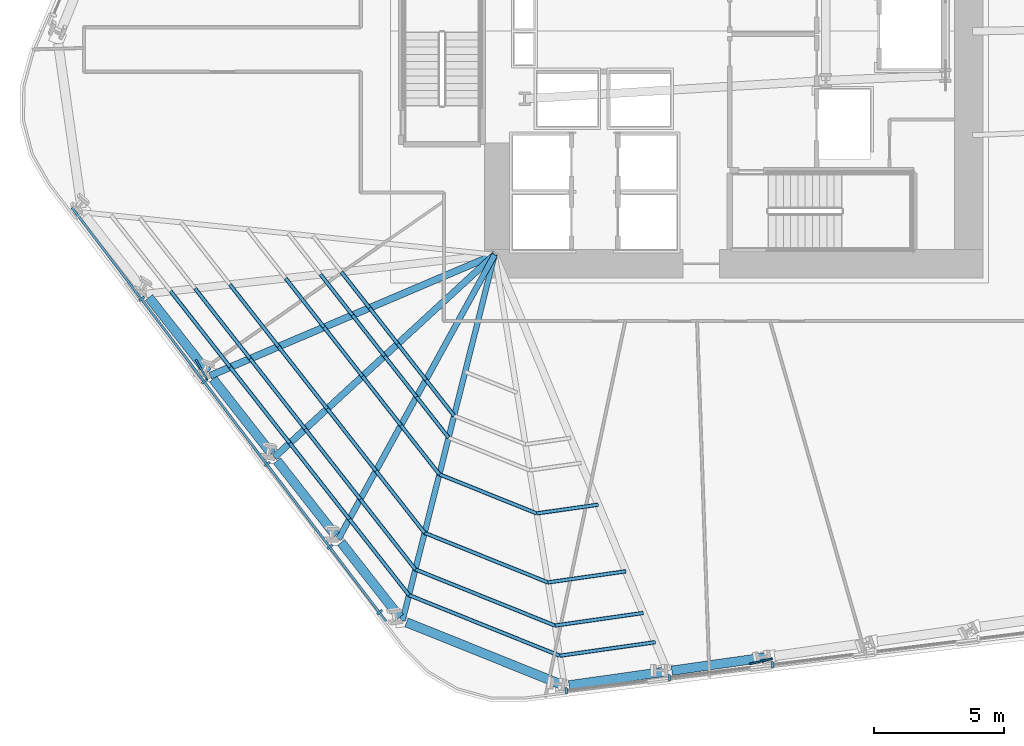
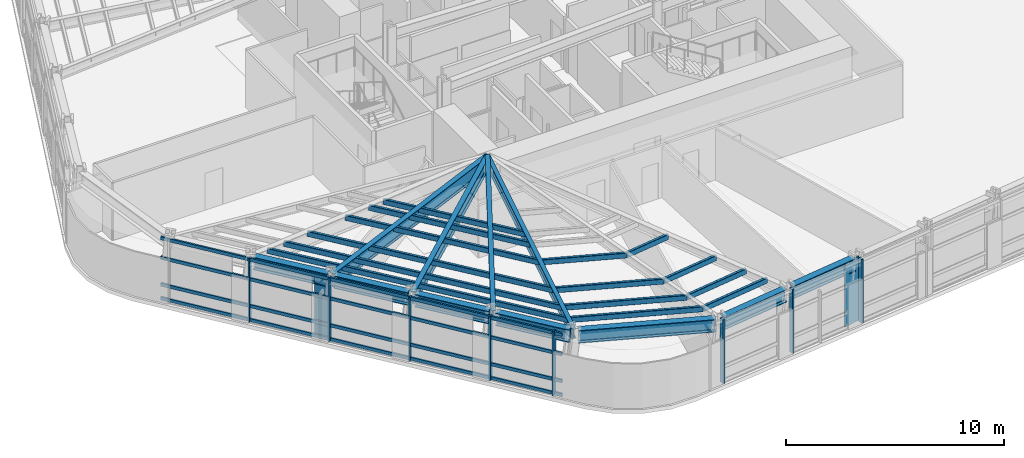
# One storey, part 2 of 16: 46 members, 11 beams, 2 elements without a shape of their own.
"""IFC4 building model written with IfcOpenShell, lengths in metres."""

import ifcopenshell
import ifcopenshell.guid

model = None  # the IFC model being written
_history = None  # IfcOwnerHistory: only IFC2X3 demands one
_inside = {}  # id of a spatial element -> (the spatial element, [elements in it])
_under = {}  # id of a project, library or spatial element -> (it, [spatial elements below it])
_declared = {}  # id of a project -> (the project, [libraries it declares])
_typed = {}  # id of a type object -> (the type object, [elements of that type])
_made_of = {}  # id of a material, layer set ... -> (it, [elements and type objects made of it])


def new_model(schema):
    """Start an empty IFC model of exactly this schema.

    Asked for "IFC4X3", IfcOpenShell would pick the latest addendum, in which some entities
    have other attributes; the version numbers below select the first issue.
    IFC2X3 requires an IfcOwnerHistory on every rooted entity: one is made here for all.
    """
    global model, _history
    if schema == "IFC4X3":
        model = ifcopenshell.file(schema_version=(4, 3, 0, 0))
    else:
        model = ifcopenshell.file(schema=schema)
    _inside.clear()
    _under.clear()
    _declared.clear()
    _typed.clear()
    _made_of.clear()
    _history = None
    if model.schema == "IFC2X3":
        org = make("IfcOrganization", Name="unknown")
        user = make(
            "IfcPersonAndOrganization",
            ThePerson=make("IfcPerson", FamilyName="unknown"),
            TheOrganization=org,
        )
        app = make(
            "IfcApplication",
            ApplicationDeveloper=org,
            Version="unknown",
            ApplicationFullName="unknown",
            ApplicationIdentifier="unknown",
        )
        _history = make(
            "IfcOwnerHistory",
            OwningUser=user,
            OwningApplication=app,
            ChangeAction="ADDED",
            CreationDate=0,
        )
    return model


def make(cls, **values):
    """One entity of the class cls with the attributes given. An attribute that is None is left unset."""
    return model.create_entity(
        cls, **{name: value for name, value in values.items() if value is not None}
    )


def rooted(cls, **values):
    """An entity with a GlobalId (a new one), such as an element, a storey or a relation."""
    return make(cls, GlobalId=ifcopenshell.guid.new(), OwnerHistory=_history, **values)


def si_unit(unit_type, name, prefix=None):
    """IfcSIUnit, for example si_unit("LENGTHUNIT", "METRE", prefix="MILLI")."""
    return make("IfcSIUnit", UnitType=unit_type, Prefix=prefix, Name=name)


def assignment(units):
    """IfcUnitAssignment: the units of a project."""
    return None if units is None else make("IfcUnitAssignment", Units=units)


def point(xyz):
    """IfcCartesianPoint."""
    return None if xyz is None else make("IfcCartesianPoint", Coordinates=xyz)


def direction(xyz):
    """IfcDirection."""
    return None if xyz is None else make("IfcDirection", DirectionRatios=xyz)


def frame(location, z_axis=None, x_axis=None):
    """IfcAxis2Placement3D, a coordinate frame: its origin and axes. An axis left out is left unset."""
    return make(
        "IfcAxis2Placement3D",
        Location=point(location),
        Axis=direction(z_axis),
        RefDirection=direction(x_axis),
    )


def frame_2d(location, x_axis=None):
    """IfcAxis2Placement2D, a coordinate frame in the plane: its origin and x axis."""
    return make(
        "IfcAxis2Placement2D", Location=point(location), RefDirection=direction(x_axis)
    )


def origin():
    """The frame at (0, 0, 0) with its axes left unset."""
    return frame((0.0, 0.0, 0.0))


def origin_2d():
    """The frame at (0, 0) in the plane with its x axis left unset."""
    return frame_2d((0.0, 0.0))


def place(relative_to, where):
    """IfcLocalPlacement: puts the frame where relative to a parent placement (None: the world)."""
    return make(
        "IfcLocalPlacement", PlacementRelTo=relative_to, RelativePlacement=where
    )


def context(
    kind, dimensions, precision=None, world=None, true_north=None, identifier=None
):
    """IfcGeometricRepresentationContext, for example the 3D "Model" context."""
    return make(
        "IfcGeometricRepresentationContext",
        ContextIdentifier=identifier,
        ContextType=kind,
        CoordinateSpaceDimension=dimensions,
        Precision=precision,
        WorldCoordinateSystem=world,
        TrueNorth=true_north,
    )


def subcontext(parent, identifier, kind, view, scale=None):
    """IfcGeometricRepresentationSubContext, for example "Body" below "Model"."""
    return make(
        "IfcGeometricRepresentationSubContext",
        ContextIdentifier=identifier,
        ContextType=kind,
        ParentContext=parent,
        TargetScale=scale,
        TargetView=view,
    )


def project(units=None, contexts=None):
    """IfcProject with its units and contexts."""
    return rooted(
        "IfcProject",
        Name="project",
        RepresentationContexts=contexts,
        UnitsInContext=assignment(units),
    )


def spatial(cls, under=None, at=None, **own):
    """A site, building, storey or space (cls), placed at a placement, below another one or the project."""
    s = rooted(cls, ObjectPlacement=at, **own)
    if under is not None:
        _under.setdefault(under.id(), (under, []))[1].append(s)
    return s


def profile(cls, at=None, kind="AREA", **sizes):
    """A parametric profile (cls). Its sizes go by their IFC names, for example OverallWidth=200.0."""
    return make(cls, ProfileType=kind, Position=at, **sizes)


def rectangle(**sizes):
    """IfcRectangleProfileDef."""
    return profile("IfcRectangleProfileDef", **sizes)


def hollow_rectangle(**sizes):
    """IfcRectangleHollowProfileDef."""
    return profile("IfcRectangleHollowProfileDef", **sizes)


def i_section(**sizes):
    """IfcIShapeProfileDef."""
    return profile("IfcIShapeProfileDef", **sizes)


def extrude(swept, where, along, depth):
    """IfcExtrudedAreaSolid: the profile swept, set in the frame where, extruded along a direction by depth."""
    return make(
        "IfcExtrudedAreaSolid",
        SweptArea=swept,
        Position=where,
        ExtrudedDirection=direction(along),
        Depth=depth,
    )


def shape(context_of_items, identifier, shape_type, items):
    """IfcShapeRepresentation: the items that make up one representation, for example the "Body"."""
    return make(
        "IfcShapeRepresentation",
        ContextOfItems=context_of_items,
        RepresentationIdentifier=identifier,
        RepresentationType=shape_type,
        Items=items,
    )


def material(Name=None, Category=None):
    """IfcMaterial."""
    return make("IfcMaterial", Name=Name, Category=Category)


def layer(
    of_material, thickness, ventilated=None, Name=None, Category=None, Priority=None
):
    """IfcMaterialLayer: one layer of a wall or slab, of a material (None: an air gap)."""
    return make(
        "IfcMaterialLayer",
        Material=of_material,
        LayerThickness=thickness,
        IsVentilated=ventilated,
        Name=Name,
        Category=Category,
        Priority=Priority,
    )


def layer_set(layers, Name=None):
    """IfcMaterialLayerSet."""
    return make("IfcMaterialLayerSet", MaterialLayers=layers, LayerSetName=Name)


def material_profile(
    of_material, cross_section, Name=None, Category=None, Priority=None
):
    """IfcMaterialProfile: a cross section and its material."""
    return make(
        "IfcMaterialProfile",
        Name=Name,
        Material=of_material,
        Profile=cross_section,
        Priority=Priority,
        Category=Category,
    )


def profile_set(profiles, Name=None, composite=None):
    """IfcMaterialProfileSet."""
    return make(
        "IfcMaterialProfileSet",
        Name=Name,
        MaterialProfiles=profiles,
        CompositeProfile=composite,
    )


def made_of(thing, what):
    """Note that an element or type object is made of a material, layer set ...; save() writes the relation."""
    if what is not None:
        _made_of.setdefault(what.id(), (what, []))[1].append(thing)
    return thing


def type_object(cls, material=None, **own):
    """A type object (cls), such as IfcWallType, which elements share."""
    return made_of(rooted(cls, **own), material)


def element(
    cls,
    number,
    at=None,
    inside=None,
    cuts=None,
    type_object=None,
    material=None,
    context=None,
    identifier="Body",
    shape_type=None,
    held_by="IfcProductDefinitionShape",
    body=None,
    shapes=None,
    **own,
):
    """One element of the class cls, such as IfcWall. Its Tag is "e" and its number.

    at: its placement. inside: the storey or other place that contains it. cuts: it is an
    opening in that element (IfcRelVoidsElement). A single representation is given by context,
    identifier, shape_type and body (its items); several are given by shapes. held_by: the class
    of the entity that holds the representations. save() writes the other relations.
    """
    e = rooted(cls, Tag="e%d" % number, ObjectPlacement=at, **own)
    if body is not None:
        shapes = [shape(context, identifier, shape_type, body)]
    if shapes is not None:
        e.Representation = make(held_by, Representations=shapes)
    if inside is not None:
        _inside.setdefault(inside.id(), (inside, []))[1].append(e)
    if cuts is not None:
        rooted(
            "IfcRelVoidsElement", RelatingBuildingElement=cuts, RelatedOpeningElement=e
        )
    if type_object is not None:
        _typed.setdefault(type_object.id(), (type_object, []))[1].append(e)
    return made_of(e, material)


def aggregate(whole, parts):
    """IfcRelAggregates: a whole, such as a stair, and the parts it consists of."""
    return rooted("IfcRelAggregates", RelatingObject=whole, RelatedObjects=parts)


def save(model, path):
    """Write the relations noted so far, then the file.

    IfcRelAggregates (storeys below a building ...), IfcRelContainedInSpatialStructure (elements
    in a storey), IfcRelDefinesByType, IfcRelAssociatesMaterial and IfcRelDeclares: one each for
    every whole, place, type object, material and project.
    """
    for whole, parts in _under.values():
        aggregate(whole, parts)
    for where, things in _inside.values():
        rooted(
            "IfcRelContainedInSpatialStructure",
            RelatedElements=things,
            RelatingStructure=where,
        )
    for kind, things in _typed.values():
        rooted("IfcRelDefinesByType", RelatedObjects=things, RelatingType=kind)
    for what, things in _made_of.values():
        rooted("IfcRelAssociatesMaterial", RelatedObjects=things, RelatingMaterial=what)
    for by, libraries in _declared.values():
        rooted("IfcRelDeclares", RelatingContext=by, RelatedDefinitions=libraries)
    model.write(path)


model = new_model("IFC4")

# Units and contexts
model_context = context("Model", 3, precision=1e-05, world=origin(), true_north=direction((0.0, 1.0)))
body_context = subcontext(model_context, "Body", "Model", "MODEL_VIEW")
ifc_project = project(units=[si_unit("LENGTHUNIT", "METRE"), si_unit("AREAUNIT", "SQUARE_METRE"), si_unit("VOLUMEUNIT", "CUBIC_METRE"), si_unit("PLANEANGLEUNIT", "RADIAN"), si_unit("MASSUNIT", "GRAM", prefix="KILO")], contexts=[model_context])

# Site, building, storey
site_placement = place(None, origin())
site = spatial("IfcSite", under=ifc_project, at=site_placement, CompositionType="ELEMENT")
building_placement = place(site_placement, origin())
building = spatial("IfcBuilding", under=site, at=building_placement, Name="Valkerne Bourse Tower", CompositionType="ELEMENT")
storey_placement = place(building_placement, frame((0.0, 0.0, 54.39990234375)))
storey = spatial("IfcBuildingStorey", under=building, at=storey_placement, Name="L13", CompositionType="ELEMENT", Elevation=54.39990234375)

# Beams
ifc_material_1 = material(Name="Steel ASTM A992", Category="steel")
ifc_material_profile_1 = material_profile(ifc_material_1, i_section(OverallWidth=0.2138671875, OverallDepth=0.548583984375, WebThickness=0.0146484375, FlangeThickness=0.023681640625, FilletRadius=0.017822265625, at=origin_2d()), Name="W21X93")
ifc_profile_set_1 = profile_set([ifc_material_profile_1], Name="Steel ASTM A992")
beam_type_1 = type_object("IfcBeamType", Name="BM-W21X93", PredefinedType="BEAM", material=ifc_profile_set_1)
beam_1_placement = place(storey_placement, frame((34.052490234375, 4.309814453125, 3.305908203125), z_axis=(0.244160205908, 0.969734909061, 0.0), x_axis=(-0.969734909061, 0.244160205908, 0.0)))
element("IfcBeam", 1, at=beam_1_placement, inside=storey, type_object=beam_type_1, Name="L13 Radial Composite Floor Beam 23", PredefinedType="BEAM", context=body_context, shape_type="SweptSolid", body=[
    extrude(i_section(OverallWidth=0.2138671875, OverallDepth=0.548583984375, WebThickness=0.0146484375, FlangeThickness=0.023681640625, FilletRadius=0.017822265625, at=origin_2d()), origin(), (0.0, 0.0, 1.0), 14.52978515625),
])
ifc_material_profile_2 = material_profile(ifc_material_1, i_section(OverallWidth=0.228271484375, OverallDepth=0.607177734375, WebThickness=0.01123046875, FlangeThickness=0.017333984375, FilletRadius=0.017822265625, at=origin_2d()), Name="W24X76")
ifc_profile_set_2 = profile_set([ifc_material_profile_2], Name="Steel ASTM A992")
beam_type_2 = type_object("IfcBeamType", Name="BM-W24X76", PredefinedType="JOIST", material=ifc_profile_set_2)
beam_2_placement = place(storey_placement, frame((31.586669921875, 7.454345703125, 3.276611328125), z_axis=(0.481511208125, 0.876439933167, 0.0), x_axis=(-0.876439933167, 0.481511208125, 0.0)))
element("IfcBeam", 2, at=beam_2_placement, inside=storey, type_object=beam_type_2, Name="L13 Radial Composite Floor Beam 22", PredefinedType="JOIST", context=body_context, shape_type="SweptSolid", body=[
    extrude(i_section(OverallWidth=0.228271484375, OverallDepth=0.607177734375, WebThickness=0.01123046875, FlangeThickness=0.017333984375, FilletRadius=0.017822265625, at=origin_2d()), origin(), (0.0, 0.0, 1.0), 12.48876953125),
])
ifc_material_profile_3 = material_profile(ifc_material_1, i_section(OverallWidth=0.255859375, OverallDepth=0.693359375, WebThickness=0.014404296875, FlangeThickness=0.023681640625, FilletRadius=0.02294921875, at=origin_2d()), Name="W27X114")
ifc_profile_set_3 = profile_set([ifc_material_profile_3], Name="Steel ASTM A992")
beam_type_3 = type_object("IfcBeamType", Name="BM-W27X114", PredefinedType="BEAM", material=ifc_profile_set_3)
beam_3_placement = place(storey_placement, frame((29.12109375, 10.59912109375, 3.2333984375), z_axis=(0.735926788448, 0.67706112135, 0.0), x_axis=(-0.67706112135, 0.735926788448, 0.0)))
element("IfcBeam", 3, at=beam_3_placement, inside=storey, type_object=beam_type_3, Name="L13 Radial Composite Floor Beam 21", PredefinedType="BEAM", context=body_context, shape_type="SweptSolid", body=[
    extrude(i_section(OverallWidth=0.255859375, OverallDepth=0.693359375, WebThickness=0.014404296875, FlangeThickness=0.023681640625, FilletRadius=0.02294921875, at=origin_2d()), origin(), (0.0, 0.0, 1.0), 11.521484375),
])
ifc_material_profile_4 = material_profile(ifc_material_1, i_section(OverallWidth=0.358154296875, OverallDepth=0.7060546875, WebThickness=0.018310546875, FlangeThickness=0.0302734375, FilletRadius=0.02294921875, at=origin_2d()), Name="W27X178")
ifc_profile_set_4 = profile_set([ifc_material_profile_4], Name="Steel ASTM A992")
beam_type_4 = type_object("IfcBeamType", Name="BM-W27X178", PredefinedType="SPANDREL", material=ifc_profile_set_4)
for number, where, z_axis, x_axis, name in (
    (4, (24.294677734375, 16.75439453125, 3.22705078125), (0.617042646345, -0.786929712612, 0.0), (0.786929712612, 0.617042646345, 0.0), "L13 Hexagonal Spandrel Ring Beam 19"),
    (5, (26.76025390625, 13.60986328125, 3.22705078125), (0.617042646345, -0.786929712612, 0.0), (0.786929712612, 0.617042646345, 0.0), "L13 Hexagonal Spandrel Ring Beam 20"),
):
    element("IfcBeam", number, at=place(storey_placement, frame(where, z_axis=z_axis, x_axis=x_axis)), inside=storey, type_object=beam_type_4, Name=name, PredefinedType="SPANDREL", context=body_context, shape_type="SweptSolid", body=[
        extrude(i_section(OverallWidth=0.358154296875, OverallDepth=0.7060546875, WebThickness=0.018310546875, FlangeThickness=0.0302734375, FilletRadius=0.02294921875, at=origin_2d()), origin(), (0.0, 0.0, 1.0), 3.656005859375),
    ])
beam_4_placement = place(storey_placement, frame((29.22607421875, 10.465087890625, 3.22705078125), z_axis=(0.61700129002, -0.786962138933, 0.0), x_axis=(0.786962138933, 0.61700129002, 0.0)))
element("IfcBeam", 6, at=beam_4_placement, inside=storey, type_object=beam_type_4, Name="L13 Hexagonal Spandrel Ring Beam 21", PredefinedType="SPANDREL", context=body_context, shape_type="SweptSolid", body=[
    extrude(i_section(OverallWidth=0.358154296875, OverallDepth=0.7060546875, WebThickness=0.018310546875, FlangeThickness=0.0302734375, FilletRadius=0.02294921875, at=origin_2d()), origin(), (0.0, 0.0, 1.0), 3.65576171875),
])
beam_5_placement = place(storey_placement, frame((31.691650390625, 7.320556640625, 3.22705078125), z_axis=(0.617042646345, -0.786929712612, 0.0), x_axis=(0.786929712612, 0.617042646345, 0.0)))
element("IfcBeam", 7, at=beam_5_placement, inside=storey, type_object=beam_type_4, Name="L13 Hexagonal Spandrel Ring Beam 22", PredefinedType="SPANDREL", context=body_context, shape_type="SweptSolid", body=[
    extrude(i_section(OverallWidth=0.358154296875, OverallDepth=0.7060546875, WebThickness=0.018310546875, FlangeThickness=0.0302734375, FilletRadius=0.02294921875, at=origin_2d()), origin(), (0.0, 0.0, 1.0), 3.656005859375),
])
beam_6_placement = place(storey_placement, frame((34.210205078125, 4.246337890625, 3.22705078125), z_axis=(0.927834923747, -0.372991091417, 0.0), x_axis=(0.372991091417, 0.927834923747, 0.0)))
element("IfcBeam", 8, at=beam_6_placement, inside=storey, type_object=beam_type_4, Name="L13 Hexagonal Spandrel Ring Beam 23", PredefinedType="SPANDREL", context=body_context, shape_type="SweptSolid", body=[
    extrude(i_section(OverallWidth=0.358154296875, OverallDepth=0.7060546875, WebThickness=0.018310546875, FlangeThickness=0.0302734375, FilletRadius=0.02294921875, at=origin_2d()), origin(), (0.0, 0.0, 1.0), 6.38916015625),
])
beam_7_placement = place(storey_placement, frame((40.464111328125, 1.823974609375, 3.22705078125), z_axis=(0.99002414459, 0.140897810946, 0.0), x_axis=(-0.140897810946, 0.99002414459, 0.0)))
element("IfcBeam", 9, at=beam_7_placement, inside=storey, type_object=beam_type_4, Name="L13 Hexagonal Spandrel Ring Beam 24", PredefinedType="SPANDREL", context=body_context, shape_type="SweptSolid", body=[
    extrude(i_section(OverallWidth=0.358154296875, OverallDepth=0.7060546875, WebThickness=0.018310546875, FlangeThickness=0.0302734375, FilletRadius=0.02294921875, at=origin_2d()), origin(), (0.0, 0.0, 1.0), 3.656005859375),
])
beam_8_placement = place(storey_placement, frame((44.42041015625, 2.386962890625, 3.22705078125), z_axis=(0.990022818804, 0.140907126319, 0.0), x_axis=(-0.140907126319, 0.990022818804, 0.0)))
element("IfcBeam", 10, at=beam_8_placement, inside=storey, type_object=beam_type_4, Name="L13 Hexagonal Spandrel Ring Beam 25", PredefinedType="SPANDREL", context=body_context, shape_type="SweptSolid", body=[
    extrude(i_section(OverallWidth=0.358154296875, OverallDepth=0.7060546875, WebThickness=0.018310546875, FlangeThickness=0.0302734375, FilletRadius=0.02294921875, at=origin_2d()), origin(), (0.0, 0.0, 1.0), 3.65576171875),
])
ifc_material_profile_5 = material_profile(ifc_material_1, i_section(OverallWidth=0.26806640625, OverallDepth=0.76953125, WebThickness=0.015625, FlangeThickness=0.025390625, FilletRadius=0.025390625, at=origin_2d()), Name="W30X132")
ifc_profile_set_5 = profile_set([ifc_material_profile_5], Name="Steel ASTM A992")
beam_type_5 = type_object("IfcBeamType", Name="BM-W30X132", PredefinedType="BEAM", material=ifc_profile_set_5)
beam_9_placement = place(storey_placement, frame((26.655517578125, 13.74365234375, 3.1953125), z_axis=(0.920185473764, 0.391482686556, 0.0), x_axis=(-0.391482686556, 0.920185473764, 0.0)))
element("IfcBeam", 11, at=beam_9_placement, inside=storey, type_object=beam_type_5, Name="L13 Radial Composite Floor Beam 20", PredefinedType="BEAM", context=body_context, shape_type="SweptSolid", body=[
    extrude(i_section(OverallWidth=0.26806640625, OverallDepth=0.76953125, WebThickness=0.015625, FlangeThickness=0.025390625, FilletRadius=0.025390625, at=origin_2d()), origin(), (0.0, 0.0, 1.0), 11.893798828125),
])

# Curtain wall, members
ifc_material_2 = material(Name="Aluminium AA 6063-T6", Category="aluminium")
ifc_layer = layer(ifc_material_2, 0.22509765625)
ifc_layer_set = layer_set([ifc_layer], Name="Aluminium AA 6063-T6")
curtain_wall_type = type_object("IfcCurtainWallType", Name="CW-01", PredefinedType="NOTDEFINED", material=ifc_layer_set)
curtain_wall_1_placement = place(storey_placement, origin())
curtain_wall_1 = element("IfcCurtainWall", 12, at=curtain_wall_1_placement, inside=storey, type_object=curtain_wall_type, Name="L13 Hexagonal Stick Curtain Wall Face 4", PredefinedType="NOTDEFINED")
ifc_material_profile_6 = material_profile(ifc_material_2, rectangle(XDim=0.090087890625, YDim=0.239990234375, at=origin_2d()), Name="CWM-90X240")
ifc_profile_set_6 = profile_set([ifc_material_profile_6], Name="Aluminium AA 6063-T6")
member_type_1 = type_object("IfcMemberType", Name="CW-MUL-240X90", PredefinedType="MULLION", material=ifc_profile_set_6)
member_1_placement = place(storey_placement, frame((24.016845703125, 16.70458984375, 0.0), z_axis=(0.0, 0.0, 1.0), x_axis=(0.604578712348, -0.796545403964, 0.0)))
member_1 = element("IfcMember", 13, at=member_1_placement, type_object=member_type_1, Name="CW-L13-F4 Jamb Mullion 01A", PredefinedType="MULLION", context=body_context, shape_type="SweptSolid", body=[
    extrude(rectangle(XDim=0.090087890625, YDim=0.239990234375, at=origin_2d()), origin(), (0.0, 0.0, 1.0), 3.580078125),
])
member_2_placement = place(storey_placement, frame((26.4326171875, 13.521484375, 0.0), z_axis=(0.0, 0.0, 1.0), x_axis=(0.604606641485, -0.79652420495, 0.0)))
member_2 = element("IfcMember", 14, at=member_2_placement, type_object=member_type_1, Name="CW-L13-F4 Jamb Mullion 02A", PredefinedType="MULLION", context=body_context, shape_type="SweptSolid", body=[
    extrude(rectangle(XDim=0.090087890625, YDim=0.239990234375, at=origin_2d()), origin(), (0.0, 0.0, 1.0), 3.580078125),
])
member_3_placement = place(storey_placement, frame((28.8486328125, 10.338623046875, 0.0), z_axis=(0.0, 0.0, 1.0), x_axis=(0.604594589965, -0.796533352588, 0.0)))
member_3 = element("IfcMember", 15, at=member_3_placement, type_object=member_type_1, Name="CW-L13-F4 Jamb Mullion 03A", PredefinedType="MULLION", context=body_context, shape_type="SweptSolid", body=[
    extrude(rectangle(XDim=0.090087890625, YDim=0.239990234375, at=origin_2d()), origin(), (0.0, 0.0, 1.0), 3.580078125),
])
member_4_placement = place(storey_placement, frame((31.2646484375, 7.155517578125, 0.0), z_axis=(0.0, 0.0, 1.0), x_axis=(0.604606641485, -0.79652420495, 0.0)))
member_4 = element("IfcMember", 16, at=member_4_placement, type_object=member_type_1, Name="CW-L13-F4 Jamb Mullion 04A", PredefinedType="MULLION", context=body_context, shape_type="SweptSolid", body=[
    extrude(rectangle(XDim=0.090087890625, YDim=0.239990234375, at=origin_2d()), origin(), (0.0, 0.0, 1.0), 3.580078125),
])
member_5_placement = place(storey_placement, frame((33.1728515625, 4.641845703125, 0.0), z_axis=(0.0, 0.0, 1.0), x_axis=(0.604606641485, -0.79652420495, 0.0)))
member_5 = element("IfcMember", 17, at=member_5_placement, type_object=member_type_1, Name="CW-L13-F4 Jamb Mullion 04B", PredefinedType="MULLION", context=body_context, shape_type="SweptSolid", body=[
    extrude(rectangle(XDim=0.090087890625, YDim=0.239990234375, at=origin_2d()), origin(), (0.0, 0.0, 1.0), 3.580078125),
])

curtain_wall_2_placement = place(storey_placement, origin())
curtain_wall_2 = element("IfcCurtainWall", 18, at=curtain_wall_2_placement, inside=storey, type_object=curtain_wall_type, Name="L13 Hexagonal Stick Curtain Wall Face 5", PredefinedType="NOTDEFINED")
member_6_placement = place(storey_placement, frame((40.360107421875, 1.62060546875, 0.0), z_axis=(0.0, 0.0, 1.0), x_axis=(0.992115722578, 0.125325149169, 0.0)))
member_6 = element("IfcMember", 19, at=member_6_placement, type_object=member_type_1, Name="CW-L13-F5 Jamb Mullion 00A", PredefinedType="MULLION", context=body_context, shape_type="SweptSolid", body=[
    extrude(rectangle(XDim=0.090087890625, YDim=0.239990234375, at=origin_2d()), origin(), (0.0, 0.0, 1.0), 3.580078125),
])
member_7_placement = place(storey_placement, frame((44.32470703125, 2.121337890625, 0.0), z_axis=(0.0, 0.0, 1.0), x_axis=(0.992112610749, 0.125349780988, 0.0)))
member_7 = element("IfcMember", 20, at=member_7_placement, type_object=member_type_1, Name="CW-L13-F5 Jamb Mullion 01A", PredefinedType="MULLION", context=body_context, shape_type="SweptSolid", body=[
    extrude(rectangle(XDim=0.090087890625, YDim=0.239990234375, at=origin_2d()), origin(), (0.0, 0.0, 1.0), 3.580078125),
])
member_8_placement = place(storey_placement, frame((48.2890625, 2.622314453125, 0.0), z_axis=(0.0, 0.0, 1.0), x_axis=(0.992115722578, 0.125325149169, 0.0)))
member_8 = element("IfcMember", 21, at=member_8_placement, type_object=member_type_1, Name="CW-L13-F5 Jamb Mullion 02A", PredefinedType="MULLION", context=body_context, shape_type="SweptSolid", body=[
    extrude(rectangle(XDim=0.090087890625, YDim=0.239990234375, at=origin_2d()), origin(), (0.0, 0.0, 1.0), 3.580078125),
])
aggregate(curtain_wall_2, [member_6, member_7, member_8])

# Member
ifc_material_profile_7 = material_profile(ifc_material_2, rectangle(XDim=0.090087890625, YDim=0.179931640625, at=origin_2d()), Name="CWT-90X180")
ifc_profile_set_7 = profile_set([ifc_material_profile_7], Name="Aluminium AA 6063-T6")
member_type_2 = type_object("IfcMemberType", Name="CW-TRN-180X90", PredefinedType="USERDEFINED", material=ifc_profile_set_7)
member_9_placement = place(storey_placement, frame((21.330810546875, 20.209716796875, 0.1201171875), z_axis=(0.604607898287, -0.796523250965, 0.0), x_axis=(0.796523250965, 0.604607898287, 0.0)))
member_9 = element("IfcMember", 22, at=member_9_placement, type_object=member_type_2, Name="CW-L13-F4 Continuous Face Transom 1", ObjectType="TRANSOM", PredefinedType="USERDEFINED", context=body_context, shape_type="SweptSolid", body=[
    extrude(rectangle(XDim=0.090087890625, YDim=0.179931640625, at=origin_2d()), origin(), (0.0, 0.0, 1.0), 19.97998046875),
])

member_10_placement = place(storey_placement, frame((21.330810546875, 20.209716796875, 0.900146484375), z_axis=(0.604607898287, -0.796523250965, 0.0), x_axis=(0.796523250965, 0.604607898287, 0.0)))
member_10 = element("IfcMember", 23, at=member_10_placement, type_object=member_type_2, Name="CW-L13-F4 Continuous Face Transom 2", ObjectType="TRANSOM", PredefinedType="USERDEFINED", context=body_context, shape_type="SweptSolid", body=[
    extrude(rectangle(XDim=0.090087890625, YDim=0.179931640625, at=origin_2d()), origin(), (0.0, 0.0, 1.0), 19.97998046875),
])

member_11_placement = place(storey_placement, frame((21.330810546875, 20.209716796875, 2.400146484375), z_axis=(0.604607898287, -0.796523250965, 0.0), x_axis=(0.796523250965, 0.604607898287, 0.0)))
member_11 = element("IfcMember", 24, at=member_11_placement, type_object=member_type_2, Name="CW-L13-F4 Continuous Face Transom 3", ObjectType="TRANSOM", PredefinedType="USERDEFINED", context=body_context, shape_type="SweptSolid", body=[
    extrude(rectangle(XDim=0.090087890625, YDim=0.179931640625, at=origin_2d()), origin(), (0.0, 0.0, 1.0), 19.97998046875),
])

member_12_placement = place(storey_placement, frame((21.330810546875, 20.209716796875, 3.5), z_axis=(0.604607898287, -0.796523250965, 0.0), x_axis=(0.796523250965, 0.604607898287, 0.0)))
member_12 = element("IfcMember", 25, at=member_12_placement, type_object=member_type_2, Name="CW-L13-F4 Continuous Face Transom 4", ObjectType="TRANSOM", PredefinedType="USERDEFINED", context=body_context, shape_type="SweptSolid", body=[
    extrude(rectangle(XDim=0.090087890625, YDim=0.179931640625, at=origin_2d()), origin(), (0.0, 0.0, 1.0), 19.97998046875),
])

aggregate(curtain_wall_1, [member_9, member_10, member_11, member_12, member_1, member_2, member_3, member_4, member_5])

# Members
ifc_material_3 = material(Name="Bronze Anodised Aluminium AA 6063-T6", Category="aluminium")
ifc_material_profile_8 = material_profile(ifc_material_3, rectangle(XDim=0.070068359375, YDim=0.89990234375, at=origin_2d()), Name="FIN-70X900")
ifc_profile_set_8 = profile_set([ifc_material_profile_8], Name="Bronze Anodised Aluminium AA 6063-T6")
member_type_3 = type_object("IfcMemberType", Name="FIN-SOLAR-900", PredefinedType="USERDEFINED", material=ifc_profile_set_8)
for number, where, z_axis, x_axis, name in (
    (26, (26.322265625, 13.96484375, 0.004150390625), (0.0, 0.0, 1.0), (-0.870232489105, -0.49264126391, 0.0), "L13 Bronze Anodised Solar Fin F4-02"),
    (27, (47.849853515625, 2.748291015625, 0.004150390625), (0.0, 0.0, 1.0), (0.233273904697, -0.972411068112, 0.0), "L13 Bronze Anodised Solar Fin F5-02"),
):
    element("IfcMember", number, at=place(storey_placement, frame(where, z_axis=z_axis, x_axis=x_axis)), inside=storey, type_object=member_type_3, Name=name, ObjectType="SOLAR_FIN", PredefinedType="USERDEFINED", context=body_context, shape_type="SweptSolid", body=[
        extrude(rectangle(XDim=0.070068359375, YDim=0.89990234375, at=origin_2d()), origin(), (0.0, 0.0, 1.0), 3.572021484375),
    ])
ifc_material_4 = material(Name="Steel ASTM A500 Grade C", Category="steel")
ifc_material_profile_9 = material_profile(ifc_material_4, hollow_rectangle(XDim=0.14990234375, YDim=0.300048828125, WallThickness=0.012451171875, OuterFilletRadius=0.02490234375, at=origin_2d()), Name="HSS300X150X12.5")
ifc_profile_set_9 = profile_set([ifc_material_profile_9], Name="Steel ASTM A500 Grade C")
member_type_4 = type_object("IfcMemberType", Name="MBR-HSS300X150X12.5", PredefinedType="PURLIN", material=ifc_profile_set_9)
for number, where, z_axis, x_axis, name in (
    (28, (31.699462890625, 17.73486328125, 3.420166015625), (0.617079247573, -0.7869010117, 0.0), (0.7869010117, 0.617079247573, 0.0), "L13 Secondary Composite Floor Purlin K-19"),
    (29, (32.784423828125, 16.351318359375, 3.420166015625), (0.617011826591, -0.78695387784, 0.0), (0.78695387784, 0.617011826591, 0.0), "L13 Secondary Composite Floor Purlin K-20"),
):
    element("IfcMember", number, at=place(storey_placement, frame(where, z_axis=z_axis, x_axis=x_axis)), inside=storey, type_object=member_type_4, Name=name, PredefinedType="PURLIN", context=body_context, shape_type="SweptSolid", body=[
        extrude(hollow_rectangle(XDim=0.14990234375, YDim=0.300048828125, WallThickness=0.012451171875, OuterFilletRadius=0.02490234375, at=origin_2d()), origin(), (0.0, 0.0, 1.0), 1.75830078125),
    ])
member_13_placement = place(storey_placement, frame((33.869384765625, 14.967529296875, 3.420166015625), z_axis=(0.616993254609, -0.786968438863, 0.0), x_axis=(0.786968438863, 0.616993254609, 0.0)))
element("IfcMember", 30, at=member_13_placement, inside=storey, type_object=member_type_4, Name="L13 Secondary Composite Floor Purlin K-21", PredefinedType="PURLIN", context=body_context, shape_type="SweptSolid", body=[
    extrude(hollow_rectangle(XDim=0.14990234375, YDim=0.300048828125, WallThickness=0.012451171875, OuterFilletRadius=0.02490234375, at=origin_2d()), origin(), (0.0, 0.0, 1.0), 1.758056640625),
])
member_14_placement = place(storey_placement, frame((34.9541015625, 13.583984375, 3.420166015625), z_axis=(0.617011826591, -0.78695387784, 0.0), x_axis=(0.78695387784, 0.617011826591, 0.0)))
element("IfcMember", 31, at=member_14_placement, inside=storey, type_object=member_type_4, Name="L13 Secondary Composite Floor Purlin K-22", PredefinedType="PURLIN", context=body_context, shape_type="SweptSolid", body=[
    extrude(hollow_rectangle(XDim=0.14990234375, YDim=0.300048828125, WallThickness=0.012451171875, OuterFilletRadius=0.02490234375, at=origin_2d()), origin(), (0.0, 0.0, 1.0), 1.75830078125),
])
for number, where, z_axis, x_axis, name in (
    (32, (30.894775390625, 17.64404296875, 3.420166015625), (0.61706576256, -0.786911586314, 0.0), (0.786911586314, 0.61706576256, 0.0), "L13 Secondary Composite Floor Purlin M-19"),
    (33, (32.127685546875, 16.07177734375, 3.420166015625), (0.61706576256, -0.786911586314, 0.0), (0.786911586314, 0.61706576256, 0.0), "L13 Secondary Composite Floor Purlin M-20"),
    (34, (33.360595703125, 14.49951171875, 3.420166015625), (0.61706576256, -0.786911586314, 0.0), (0.786911586314, 0.61706576256, 0.0), "L13 Secondary Composite Floor Purlin M-21"),
):
    element("IfcMember", number, at=place(storey_placement, frame(where, z_axis=z_axis, x_axis=x_axis)), inside=storey, type_object=member_type_4, Name=name, PredefinedType="PURLIN", context=body_context, shape_type="SweptSolid", body=[
        extrude(hollow_rectangle(XDim=0.14990234375, YDim=0.300048828125, WallThickness=0.012451171875, OuterFilletRadius=0.02490234375, at=origin_2d()), origin(), (0.0, 0.0, 1.0), 1.998046875),
    ])
member_15_placement = place(storey_placement, frame((34.593505859375, 12.92724609375, 3.420166015625), z_axis=(0.616990089539, -0.786970920308, 0.0), x_axis=(0.786970920308, 0.616990089539, 0.0)))
element("IfcMember", 35, at=member_15_placement, inside=storey, type_object=member_type_4, Name="L13 Secondary Composite Floor Purlin M-22", PredefinedType="PURLIN", context=body_context, shape_type="SweptSolid", body=[
    extrude(hollow_rectangle(XDim=0.14990234375, YDim=0.300048828125, WallThickness=0.012451171875, OuterFilletRadius=0.02490234375, at=origin_2d()), origin(), (0.0, 0.0, 1.0), 1.997802734375),
])
member_16_placement = place(storey_placement, frame((27.408203125, 17.2509765625, 3.420166015625), z_axis=(0.617008172534, -0.786956742793, 0.0), x_axis=(0.786956742793, 0.617008172534, 0.0)))
element("IfcMember", 36, at=member_16_placement, inside=storey, type_object=member_type_4, Name="L13 Secondary Composite Floor Purlin O-19", PredefinedType="PURLIN", context=body_context, shape_type="SweptSolid", body=[
    extrude(hollow_rectangle(XDim=0.14990234375, YDim=0.300048828125, WallThickness=0.012451171875, OuterFilletRadius=0.02490234375, at=origin_2d()), origin(), (0.0, 0.0, 1.0), 3.036865234375),
])
member_17_placement = place(storey_placement, frame((29.281982421875, 14.861083984375, 3.420166015625), z_axis=(0.617057955634, -0.786917708143, 0.0), x_axis=(0.786917708143, 0.617057955634, 0.0)))
element("IfcMember", 37, at=member_17_placement, inside=storey, type_object=member_type_4, Name="L13 Secondary Composite Floor Purlin O-20", PredefinedType="PURLIN", context=body_context, shape_type="SweptSolid", body=[
    extrude(hollow_rectangle(XDim=0.14990234375, YDim=0.300048828125, WallThickness=0.012451171875, OuterFilletRadius=0.02490234375, at=origin_2d()), origin(), (0.0, 0.0, 1.0), 3.037109375),
])
member_18_placement = place(storey_placement, frame((31.156005859375, 12.47119140625, 3.420166015625), z_axis=(0.617008172534, -0.786956742793, 0.0), x_axis=(0.786956742793, 0.617008172534, 0.0)))
element("IfcMember", 38, at=member_18_placement, inside=storey, type_object=member_type_4, Name="L13 Secondary Composite Floor Purlin O-21", PredefinedType="PURLIN", context=body_context, shape_type="SweptSolid", body=[
    extrude(hollow_rectangle(XDim=0.14990234375, YDim=0.300048828125, WallThickness=0.012451171875, OuterFilletRadius=0.02490234375, at=origin_2d()), origin(), (0.0, 0.0, 1.0), 3.036865234375),
])
member_19_placement = place(storey_placement, frame((33.02978515625, 10.081298828125, 3.420166015625), z_axis=(0.617057955634, -0.786917708143, 0.0), x_axis=(0.786917708143, 0.617057955634, 0.0)))
element("IfcMember", 39, at=member_19_placement, inside=storey, type_object=member_type_4, Name="L13 Secondary Composite Floor Purlin O-22", PredefinedType="PURLIN", context=body_context, shape_type="SweptSolid", body=[
    extrude(hollow_rectangle(XDim=0.14990234375, YDim=0.300048828125, WallThickness=0.012451171875, OuterFilletRadius=0.02490234375, at=origin_2d()), origin(), (0.0, 0.0, 1.0), 3.037109375),
])
member_20_placement = place(storey_placement, frame((34.90380859375, 7.69140625, 3.420166015625), z_axis=(0.927833278441, -0.372995184176, 0.0), x_axis=(0.372995184176, 0.927833278441, 0.0)))
element("IfcMember", 40, at=member_20_placement, inside=storey, type_object=member_type_4, Name="L13 Secondary Composite Floor Purlin O-23", PredefinedType="PURLIN", context=body_context, shape_type="SweptSolid", body=[
    extrude(hollow_rectangle(XDim=0.14990234375, YDim=0.300048828125, WallThickness=0.012451171875, OuterFilletRadius=0.02490234375, at=origin_2d()), origin(), (0.0, 0.0, 1.0), 5.114013671875),
])
member_21_placement = place(storey_placement, frame((39.648681640625, 5.783935546875, 3.420166015625), z_axis=(0.99002171063, 0.140914912206, 0.0), x_axis=(-0.140914912206, 0.99002171063, 0.0)))
element("IfcMember", 41, at=member_21_placement, inside=storey, type_object=member_type_4, Name="L13 Secondary Composite Floor Purlin O-24", PredefinedType="PURLIN", context=body_context, shape_type="SweptSolid", body=[
    extrude(hollow_rectangle(XDim=0.14990234375, YDim=0.300048828125, WallThickness=0.012451171875, OuterFilletRadius=0.02490234375, at=origin_2d()), origin(), (0.0, 0.0, 1.0), 3.037109375),
])
for number, where, z_axis, x_axis, name in (
    (42, (29.5537109375, 17.492919921875, 3.420166015625), (0.61706576256, -0.786911586314, 0.0), (0.786911586314, 0.61706576256, 0.0), "L13 Secondary Composite Floor Purlin Z-19"),
    (43, (31.033203125, 15.606201171875, 3.420166015625), (0.61706576256, -0.786911586314, 0.0), (0.786911586314, 0.61706576256, 0.0), "L13 Secondary Composite Floor Purlin Z-20"),
    (44, (32.5126953125, 13.719482421875, 3.420166015625), (0.616953260184, -0.786999793359, 0.0), (0.786999793359, 0.616953260184, 0.0), "L13 Secondary Composite Floor Purlin Z-21"),
    (45, (33.991943359375, 11.83251953125, 3.420166015625), (0.61706576256, -0.786911586314, 0.0), (0.786911586314, 0.61706576256, 0.0), "L13 Secondary Composite Floor Purlin Z-22"),
):
    element("IfcMember", number, at=place(storey_placement, frame(where, z_axis=z_axis, x_axis=x_axis)), inside=storey, type_object=member_type_4, Name=name, PredefinedType="PURLIN", context=body_context, shape_type="SweptSolid", body=[
        extrude(hollow_rectangle(XDim=0.14990234375, YDim=0.300048828125, WallThickness=0.012451171875, OuterFilletRadius=0.02490234375, at=origin_2d()), origin(), (0.0, 0.0, 1.0), 2.397705078125),
    ])
member_22_placement = place(storey_placement, frame((35.471435546875, 9.94580078125, 3.420166015625), z_axis=(0.927841453072, -0.372974848967, 0.0), x_axis=(0.372974848967, 0.927841453072, 0.0)))
element("IfcMember", 46, at=member_22_placement, inside=storey, type_object=member_type_4, Name="L13 Secondary Composite Floor Purlin Z-23", PredefinedType="PURLIN", context=body_context, shape_type="SweptSolid", body=[
    extrude(hollow_rectangle(XDim=0.14990234375, YDim=0.300048828125, WallThickness=0.012451171875, OuterFilletRadius=0.02490234375, at=origin_2d()), origin(), (0.0, 0.0, 1.0), 4.037353515625),
])
member_23_placement = place(storey_placement, frame((39.217529296875, 8.43994140625, 3.420166015625), z_axis=(0.990020643716, 0.140922407786, 0.0), x_axis=(-0.140922407786, 0.990020643716, 0.0)))
element("IfcMember", 47, at=member_23_placement, inside=storey, type_object=member_type_4, Name="L13 Secondary Composite Floor Purlin Z-24", PredefinedType="PURLIN", context=body_context, shape_type="SweptSolid", body=[
    extrude(hollow_rectangle(XDim=0.14990234375, YDim=0.300048828125, WallThickness=0.012451171875, OuterFilletRadius=0.02490234375, at=origin_2d()), origin(), (0.0, 0.0, 1.0), 2.397705078125),
])
for number, where, z_axis, x_axis, name in (
    (48, (26.067138671875, 17.099853515625, 3.420166015625), (0.617014869437, -0.786951492084, 0.0), (0.786951492084, 0.617014869437, 0.0), "L13 Secondary Composite Floor Purlin T-19"),
    (49, (28.1875, 14.3955078125, 3.420166015625), (0.617058863409, -0.786916996314, 0.0), (0.786916996314, 0.617058863409, 0.0), "L13 Secondary Composite Floor Purlin T-20"),
    (50, (30.30810546875, 11.691162109375, 3.420166015625), (0.617058863409, -0.786916996314, 0.0), (0.786916996314, 0.617058863409, 0.0), "L13 Secondary Composite Floor Purlin T-21"),
    (51, (32.4287109375, 8.98681640625, 3.420166015625), (0.617014869437, -0.786951492084, 0.0), (0.786951492084, 0.617014869437, 0.0), "L13 Secondary Composite Floor Purlin T-22"),
):
    element("IfcMember", number, at=place(storey_placement, frame(where, z_axis=z_axis, x_axis=x_axis)), inside=storey, type_object=member_type_4, Name=name, PredefinedType="PURLIN", context=body_context, shape_type="SweptSolid", body=[
        extrude(hollow_rectangle(XDim=0.14990234375, YDim=0.300048828125, WallThickness=0.012451171875, OuterFilletRadius=0.02490234375, at=origin_2d()), origin(), (0.0, 0.0, 1.0), 3.4365234375),
    ])
member_24_placement = place(storey_placement, frame((34.549072265625, 6.282470703125, 3.420166015625), z_axis=(0.927823541508, -0.373019404084, 0.0), x_axis=(0.373019404084, 0.927823541508, 0.0)))
element("IfcMember", 52, at=member_24_placement, inside=storey, type_object=member_type_4, Name="L13 Secondary Composite Floor Purlin T-23", PredefinedType="PURLIN", context=body_context, shape_type="SweptSolid", body=[
    extrude(hollow_rectangle(XDim=0.14990234375, YDim=0.300048828125, WallThickness=0.012451171875, OuterFilletRadius=0.02490234375, at=origin_2d()), origin(), (0.0, 0.0, 1.0), 5.787109375),
])
member_25_placement = place(storey_placement, frame((39.91845703125, 4.123779296875, 3.420166015625), z_axis=(0.990017577238, 0.140943948998, 0.0), x_axis=(-0.140943948998, 0.990017577238, 0.0)))
element("IfcMember", 53, at=member_25_placement, inside=storey, type_object=member_type_4, Name="L13 Secondary Composite Floor Purlin T-24", PredefinedType="PURLIN", context=body_context, shape_type="SweptSolid", body=[
    extrude(hollow_rectangle(XDim=0.14990234375, YDim=0.300048828125, WallThickness=0.012451171875, OuterFilletRadius=0.02490234375, at=origin_2d()), origin(), (0.0, 0.0, 1.0), 3.436767578125),
])
member_26_placement = place(storey_placement, frame((25.12841796875, 16.993896484375, 3.420166015625), z_axis=(0.617037840463, -0.786933480948, 0.0), x_axis=(0.786933480948, 0.617037840463, 0.0)))
element("IfcMember", 54, at=member_26_placement, inside=storey, type_object=member_type_4, Name="L13 Secondary Composite Floor Purlin U-19", PredefinedType="PURLIN", context=body_context, shape_type="SweptSolid", body=[
    extrude(hollow_rectangle(XDim=0.14990234375, YDim=0.300048828125, WallThickness=0.012451171875, OuterFilletRadius=0.02490234375, at=origin_2d()), origin(), (0.0, 0.0, 1.0), 3.716064453125),
])
member_27_placement = place(storey_placement, frame((27.42138671875, 14.069580078125, 3.420166015625), z_axis=(0.617046623243, -0.786926594254, 0.0), x_axis=(0.786926594254, 0.617046623243, 0.0)))
element("IfcMember", 55, at=member_27_placement, inside=storey, type_object=member_type_4, Name="L13 Secondary Composite Floor Purlin U-20", PredefinedType="PURLIN", context=body_context, shape_type="SweptSolid", body=[
    extrude(hollow_rectangle(XDim=0.14990234375, YDim=0.300048828125, WallThickness=0.012451171875, OuterFilletRadius=0.02490234375, at=origin_2d()), origin(), (0.0, 0.0, 1.0), 3.716552734375),
])
member_28_placement = place(storey_placement, frame((29.714599609375, 11.14501953125, 3.420166015625), z_axis=(0.617037840463, -0.786933480948, 0.0), x_axis=(0.786933480948, 0.617037840463, 0.0)))
element("IfcMember", 56, at=member_28_placement, inside=storey, type_object=member_type_4, Name="L13 Secondary Composite Floor Purlin U-21", PredefinedType="PURLIN", context=body_context, shape_type="SweptSolid", body=[
    extrude(hollow_rectangle(XDim=0.14990234375, YDim=0.300048828125, WallThickness=0.012451171875, OuterFilletRadius=0.02490234375, at=origin_2d()), origin(), (0.0, 0.0, 1.0), 3.716064453125),
])
member_29_placement = place(storey_placement, frame((32.007568359375, 8.220703125, 3.420166015625), z_axis=(0.617046623243, -0.786926594254, 0.0), x_axis=(0.786926594254, 0.617046623243, 0.0)))
element("IfcMember", 57, at=member_29_placement, inside=storey, type_object=member_type_4, Name="L13 Secondary Composite Floor Purlin U-22", PredefinedType="PURLIN", context=body_context, shape_type="SweptSolid", body=[
    extrude(hollow_rectangle(XDim=0.14990234375, YDim=0.300048828125, WallThickness=0.012451171875, OuterFilletRadius=0.02490234375, at=origin_2d()), origin(), (0.0, 0.0, 1.0), 3.716552734375),
])
member_30_placement = place(storey_placement, frame((34.30078125, 5.296142578125, 3.420166015625), z_axis=(0.927832266968, -0.372997700226, 0.0), x_axis=(0.372997700226, 0.927832266968, 0.0)))
element("IfcMember", 58, at=member_30_placement, inside=storey, type_object=member_type_4, Name="L13 Secondary Composite Floor Purlin U-23", PredefinedType="PURLIN", context=body_context, shape_type="SweptSolid", body=[
    extrude(hollow_rectangle(XDim=0.14990234375, YDim=0.300048828125, WallThickness=0.012451171875, OuterFilletRadius=0.02490234375, at=origin_2d()), origin(), (0.0, 0.0, 1.0), 6.258056640625),
])
member_31_placement = place(storey_placement, frame((40.107177734375, 2.9619140625, 3.420166015625), z_axis=(0.990021628772, 0.140915487307, 0.0), x_axis=(-0.140915487307, 0.990021628772, 0.0)))
element("IfcMember", 59, at=member_31_placement, inside=storey, type_object=member_type_4, Name="L13 Secondary Composite Floor Purlin U-24", PredefinedType="PURLIN", context=body_context, shape_type="SweptSolid", body=[
    extrude(hollow_rectangle(XDim=0.14990234375, YDim=0.300048828125, WallThickness=0.012451171875, OuterFilletRadius=0.02490234375, at=origin_2d()), origin(), (0.0, 0.0, 1.0), 3.71630859375),
])

save(model, "model.ifc")
